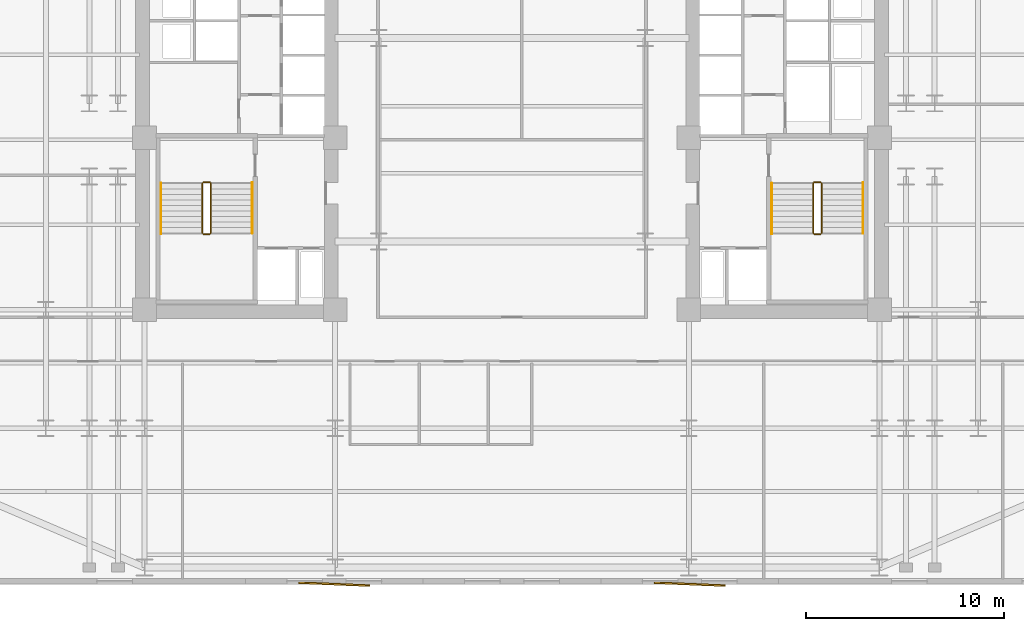
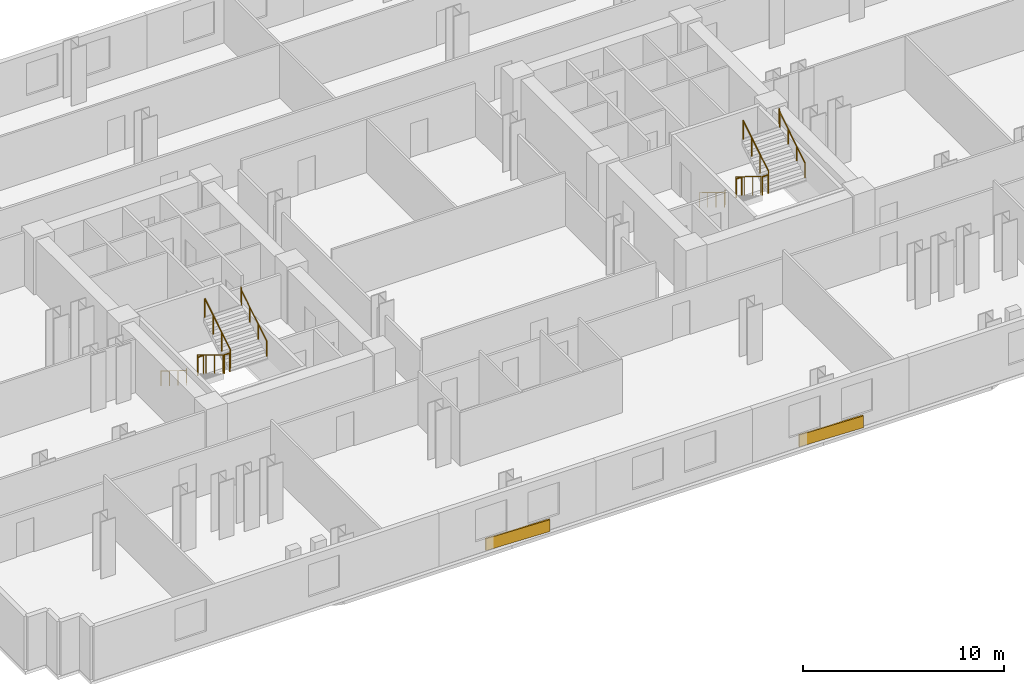
# One storey, part 9 of 10: 12 railings, 2 coverings.
"""IFC4 building model written with IfcOpenShell, lengths in metres."""

from ifc_helpers import new_model, si_unit, direction, frame, origin, origin_2d, place, context, subcontext, project, spatial, rectangle, circle, extrude, material, layer, layer_set, type_object, element, save


model = new_model("IFC4")

# Units and contexts
model_context = context("Model", 3, precision=1e-05, world=origin(), true_north=direction((0.0, 1.0)))
body_context = subcontext(model_context, "Body", "Model", "MODEL_VIEW")
ifc_project = project(units=[si_unit("LENGTHUNIT", "METRE"), si_unit("AREAUNIT", "SQUARE_METRE"), si_unit("VOLUMEUNIT", "CUBIC_METRE"), si_unit("PLANEANGLEUNIT", "RADIAN"), si_unit("MASSUNIT", "GRAM", prefix="KILO")], contexts=[model_context])

# Site, building, storey
site_placement = place(None, origin())
site = spatial("IfcSite", under=ifc_project, at=site_placement, CompositionType="ELEMENT")
building_placement = place(site_placement, origin())
building = spatial("IfcBuilding", under=site, at=building_placement, Name="Velakula Bourse", CompositionType="ELEMENT")
storey_placement = place(building_placement, frame((0.0, 0.0, 55.35009765625)))
storey = spatial("IfcBuildingStorey", under=building, at=storey_placement, Name="L14", CompositionType="ELEMENT", Elevation=55.35009765625)

# Coverings
ifc_material_1 = material(Name="Red kilned clay facing brick masonry", Category="masonry")
ifc_layer = layer(ifc_material_1, 0.090087890625, Name="Red kilned clay facing brick masonry", Category="masonry")
ifc_layer_set = layer_set([ifc_layer], Name="Red kilned clay facing brick masonry")
covering_type = type_object("IfcCoveringType", Name="COV-BRK-FOLD-90", PredefinedType="CLADDING", material=ifc_layer_set)
for number, where, z_axis, x_axis, name in (
    (1, (-9.0, -22.489990234375, 0.0), (0.0, 0.0, 1.0), (0.999158993058, -0.041003738744, 0.0), "L14 Folded Brick Facade Cladding Panel S-B2"),
    (2, (9.0, -22.489990234375, 0.0), (0.0, 0.0, 1.0), (0.999158993058, -0.041003738744, 0.0), "L14 Folded Brick Facade Cladding Panel S-B4"),
):
    element("IfcCovering", number, at=place(storey_placement, frame(where, z_axis=z_axis, x_axis=x_axis)), inside=storey, type_object=covering_type, Name=name, PredefinedType="CLADDING", context=body_context, shape_type="SweptSolid", body=[
        extrude(rectangle(XDim=3.60009765625, YDim=0.090087890625, at=origin_2d()), origin(), (0.0, 0.0, 1.0), 0.719970703125),
    ])

# Railings
ifc_material_2 = material(Name="Brushed grade 316 stainless steel", Category="steel")
railing_type_1 = type_object("IfcRailingType", Name="RLG-STAIR-GUARD-1150", PredefinedType="BALUSTRADE", material=ifc_material_2)
railing_1_placement = place(storey_placement, frame((-15.672119140625, -2.199951171875, 0.17236328125)))
element("IfcRailing", 3, at=railing_1_placement, inside=storey, type_object=railing_type_1, Name="L14 ST-W1 stair guard 1", PredefinedType="BALUSTRADE", context=body_context, shape_type="SweptSolid", body=[
    extrude(circle(Radius=0.02490234375, at=origin_2d()), frame((0.0, 0.0, 1.125), z_axis=(0.0, -0.851400495292, 0.524516154772), x_axis=(1.0, 0.0, 0.0)), (0.0, 0.0, 1.0), 2.9599609375),
    extrude(circle(Radius=0.02099609375, at=origin_2d()), origin(), (0.0, 0.0, 1.0), 1.099853515625),
    extrude(circle(Radius=0.02099609375, at=origin_2d()), frame((0.0, -0.840087890625, 0.517578125)), (0.0, 0.0, 1.0), 1.099853515625),
    extrude(circle(Radius=0.02099609375, at=origin_2d()), frame((0.0, -1.679931640625, 1.034912109375)), (0.0, 0.0, 1.0), 1.099853515625),
    extrude(circle(Radius=0.02099609375, at=origin_2d()), frame((0.0, -2.52001953125, 1.552490234375)), (0.0, 0.0, 1.0), 1.099853515625),
])
railing_2_placement = place(storey_placement, frame((-15.6220703125, -4.77001953125, 1.724853515625)))
element("IfcRailing", 4, at=railing_2_placement, inside=storey, type_object=railing_type_1, Name="L14 ST-W1 stair guard 2", PredefinedType="BALUSTRADE", context=body_context, shape_type="SweptSolid", body=[
    extrude(circle(Radius=0.02490234375, at=origin_2d()), frame((0.0, 0.0, 1.125), z_axis=(1.0, 0.0, 0.0), x_axis=(0.0, 1.0, 0.0)), (0.0, 0.0, 1.0), 0.323974609375),
    extrude(circle(Radius=0.02099609375, at=origin_2d()), origin(), (0.0, 0.0, 1.0), 1.099853515625),
    extrude(circle(Radius=0.02099609375, at=origin_2d()), frame((0.323974609375, 0.0, 0.0)), (0.0, 0.0, 1.0), 1.099853515625),
])
railing_3_placement = place(storey_placement, frame((-15.248046875, -4.719970703125, 1.8974609375)))
element("IfcRailing", 5, at=railing_3_placement, inside=storey, type_object=railing_type_1, Name="L14 ST-W1 stair guard 3", PredefinedType="BALUSTRADE", context=body_context, shape_type="SweptSolid", body=[
    extrude(circle(Radius=0.02490234375, at=origin_2d()), frame((0.0, 0.0, 1.125), z_axis=(0.0, 0.851400495292, 0.524516154772), x_axis=(-1.0, 0.0, 0.0)), (0.0, 0.0, 1.0), 2.9599609375),
    extrude(circle(Radius=0.02099609375, at=origin_2d()), origin(), (0.0, 0.0, 1.0), 1.099853515625),
    extrude(circle(Radius=0.02099609375, at=origin_2d()), frame((0.0, 0.840087890625, 0.517578125)), (0.0, 0.0, 1.0), 1.099853515625),
    extrude(circle(Radius=0.02099609375, at=origin_2d()), frame((0.0, 1.679931640625, 1.034912109375)), (0.0, 0.0, 1.0), 1.099853515625),
    extrude(circle(Radius=0.02099609375, at=origin_2d()), frame((0.0, 2.52001953125, 1.552490234375)), (0.0, 0.0, 1.0), 1.099853515625),
])
railing_4_placement = place(storey_placement, frame((-15.6220703125, -2.14990234375, 0.0)))
element("IfcRailing", 6, at=railing_4_placement, inside=storey, type_object=railing_type_1, Name="L14 ST-W1 stair guard 4", PredefinedType="BALUSTRADE", context=body_context, shape_type="SweptSolid", body=[
    extrude(circle(Radius=0.02490234375, at=origin_2d()), frame((0.0, 0.0, 1.125), z_axis=(1.0, 0.0, 0.0), x_axis=(0.0, 1.0, 0.0)), (0.0, 0.0, 1.0), 0.323974609375),
    extrude(circle(Radius=0.02099609375, at=origin_2d()), origin(), (0.0, 0.0, 1.0), 1.099853515625),
    extrude(circle(Radius=0.02099609375, at=origin_2d()), frame((0.323974609375, 0.0, 0.0)), (0.0, 0.0, 1.0), 1.099853515625),
])
railing_5_placement = place(storey_placement, frame((15.248046875, -2.199951171875, 0.17236328125)))
element("IfcRailing", 7, at=railing_5_placement, inside=storey, type_object=railing_type_1, Name="L14 ST-E1 stair guard 1", PredefinedType="BALUSTRADE", context=body_context, shape_type="SweptSolid", body=[
    extrude(circle(Radius=0.02490234375, at=origin_2d()), frame((0.0, 0.0, 1.125), z_axis=(0.0, -0.851400495292, 0.524516154772), x_axis=(1.0, 0.0, 0.0)), (0.0, 0.0, 1.0), 2.9599609375),
    extrude(circle(Radius=0.02099609375, at=origin_2d()), origin(), (0.0, 0.0, 1.0), 1.099853515625),
    extrude(circle(Radius=0.02099609375, at=origin_2d()), frame((0.0, -0.840087890625, 0.517578125)), (0.0, 0.0, 1.0), 1.099853515625),
    extrude(circle(Radius=0.02099609375, at=origin_2d()), frame((0.0, -1.679931640625, 1.034912109375)), (0.0, 0.0, 1.0), 1.099853515625),
    extrude(circle(Radius=0.02099609375, at=origin_2d()), frame((0.0, -2.52001953125, 1.552490234375)), (0.0, 0.0, 1.0), 1.099853515625),
])
railing_6_placement = place(storey_placement, frame((15.298095703125, -4.77001953125, 1.724853515625)))
element("IfcRailing", 8, at=railing_6_placement, inside=storey, type_object=railing_type_1, Name="L14 ST-E1 stair guard 2", PredefinedType="BALUSTRADE", context=body_context, shape_type="SweptSolid", body=[
    extrude(circle(Radius=0.02490234375, at=origin_2d()), frame((0.0, 0.0, 1.125), z_axis=(1.0, 0.0, 0.0), x_axis=(0.0, 1.0, 0.0)), (0.0, 0.0, 1.0), 0.323974609375),
    extrude(circle(Radius=0.02099609375, at=origin_2d()), origin(), (0.0, 0.0, 1.0), 1.099853515625),
    extrude(circle(Radius=0.02099609375, at=origin_2d()), frame((0.323974609375, 0.0, 0.0)), (0.0, 0.0, 1.0), 1.099853515625),
])
railing_7_placement = place(storey_placement, frame((15.672119140625, -4.719970703125, 1.8974609375)))
element("IfcRailing", 9, at=railing_7_placement, inside=storey, type_object=railing_type_1, Name="L14 ST-E1 stair guard 3", PredefinedType="BALUSTRADE", context=body_context, shape_type="SweptSolid", body=[
    extrude(circle(Radius=0.02490234375, at=origin_2d()), frame((0.0, 0.0, 1.125), z_axis=(0.0, 0.851400495292, 0.524516154772), x_axis=(-1.0, 0.0, 0.0)), (0.0, 0.0, 1.0), 2.9599609375),
    extrude(circle(Radius=0.02099609375, at=origin_2d()), origin(), (0.0, 0.0, 1.0), 1.099853515625),
    extrude(circle(Radius=0.02099609375, at=origin_2d()), frame((0.0, 0.840087890625, 0.517578125)), (0.0, 0.0, 1.0), 1.099853515625),
    extrude(circle(Radius=0.02099609375, at=origin_2d()), frame((0.0, 1.679931640625, 1.034912109375)), (0.0, 0.0, 1.0), 1.099853515625),
    extrude(circle(Radius=0.02099609375, at=origin_2d()), frame((0.0, 2.52001953125, 1.552490234375)), (0.0, 0.0, 1.0), 1.099853515625),
])
railing_8_placement = place(storey_placement, frame((15.298095703125, -2.14990234375, 0.0)))
element("IfcRailing", 10, at=railing_8_placement, inside=storey, type_object=railing_type_1, Name="L14 ST-E1 stair guard 4", PredefinedType="BALUSTRADE", context=body_context, shape_type="SweptSolid", body=[
    extrude(circle(Radius=0.02490234375, at=origin_2d()), frame((0.0, 0.0, 1.125), z_axis=(1.0, 0.0, 0.0), x_axis=(0.0, 1.0, 0.0)), (0.0, 0.0, 1.0), 0.323974609375),
    extrude(circle(Radius=0.02099609375, at=origin_2d()), origin(), (0.0, 0.0, 1.0), 1.099853515625),
    extrude(circle(Radius=0.02099609375, at=origin_2d()), frame((0.323974609375, 0.0, 0.0)), (0.0, 0.0, 1.0), 1.099853515625),
])
railing_type_2 = type_object("IfcRailingType", Name="RLG-STAIR-HAND-920", PredefinedType="HANDRAIL", material=ifc_material_2)
railing_9_placement = place(storey_placement, frame((-17.77001953125, -2.199951171875, 0.17236328125)))
element("IfcRailing", 11, at=railing_9_placement, inside=storey, type_object=railing_type_2, Name="L14 ST-W1 stair handrail 1", PredefinedType="HANDRAIL", context=body_context, shape_type="SweptSolid", body=[
    extrude(circle(Radius=0.02099609375, at=origin_2d()), frame((0.0, 0.0, 0.89892578125), z_axis=(0.0, -0.851400495292, 0.524516154772), x_axis=(1.0, 0.0, 0.0)), (0.0, 0.0, 1.0), 2.9599609375),
    extrude(circle(Radius=0.02099609375, at=origin_2d()), frame((0.0, -2.52001953125, 2.451416015625), z_axis=(0.0, -0.22596628056, 0.974135124123), x_axis=(1.0, 0.0, 0.0)), (0.0, 0.0, 1.0), 0.17724609375),
    extrude(circle(Radius=0.02099609375, at=origin_2d()), frame((0.0, -2.56005859375, 2.6240234375), z_axis=(0.0, -1.0, 0.0), x_axis=(1.0, 0.0, 0.0)), (0.0, 0.0, 1.0), 0.0048828125),
    extrude(circle(Radius=0.02099609375, at=origin_2d()), origin(), (0.0, 0.0, 1.0), 0.8779296875),
    extrude(circle(Radius=0.02099609375, at=origin_2d()), frame((0.0, -0.840087890625, 0.517578125)), (0.0, 0.0, 1.0), 0.8779296875),
    extrude(circle(Radius=0.02099609375, at=origin_2d()), frame((0.0, -1.679931640625, 1.034912109375)), (0.0, 0.0, 1.0), 0.8779296875),
    extrude(circle(Radius=0.02099609375, at=origin_2d()), frame((0.0, -2.52001953125, 1.552490234375)), (0.0, 0.0, 1.0), 0.8779296875),
    extrude(circle(Radius=0.02099609375, at=origin_2d()), frame((0.0, -2.56005859375, 1.72509765625)), (0.0, 0.0, 1.0), 0.8779296875),
    extrude(circle(Radius=0.02099609375, at=origin_2d()), frame((0.0, -2.56494140625, 1.72509765625)), (0.0, 0.0, 1.0), 0.8779296875),
])
railing_10_placement = place(storey_placement, frame((-13.14990234375, -4.719970703125, 1.8974609375)))
element("IfcRailing", 12, at=railing_10_placement, inside=storey, type_object=railing_type_2, Name="L14 ST-W1 stair handrail 2", PredefinedType="HANDRAIL", context=body_context, shape_type="SweptSolid", body=[
    extrude(circle(Radius=0.02099609375, at=origin_2d()), frame((0.0, 0.0, 0.89892578125), z_axis=(0.0, 0.851400495292, 0.524516154772), x_axis=(-1.0, 0.0, 0.0)), (0.0, 0.0, 1.0), 2.9599609375),
    extrude(circle(Radius=0.02099609375, at=origin_2d()), frame((0.0, 2.52001953125, 2.451416015625), z_axis=(0.0, 0.226269970362, 0.974064628509), x_axis=(-1.0, 0.0, 0.0)), (0.0, 0.0, 1.0), 0.177001953125),
    extrude(circle(Radius=0.02099609375, at=origin_2d()), frame((0.0, 2.56005859375, 2.623779296875), z_axis=(0.0, 1.0, 0.0), x_axis=(-1.0, 0.0, 0.0)), (0.0, 0.0, 1.0), 0.0048828125),
    extrude(circle(Radius=0.02099609375, at=origin_2d()), origin(), (0.0, 0.0, 1.0), 0.8779296875),
    extrude(circle(Radius=0.02099609375, at=origin_2d()), frame((0.0, 0.840087890625, 0.517578125)), (0.0, 0.0, 1.0), 0.8779296875),
    extrude(circle(Radius=0.02099609375, at=origin_2d()), frame((0.0, 1.679931640625, 1.034912109375)), (0.0, 0.0, 1.0), 0.8779296875),
    extrude(circle(Radius=0.02099609375, at=origin_2d()), frame((0.0, 2.52001953125, 1.552490234375)), (0.0, 0.0, 1.0), 0.8779296875),
    extrude(circle(Radius=0.02099609375, at=origin_2d()), frame((0.0, 2.56005859375, 1.724853515625)), (0.0, 0.0, 1.0), 0.8779296875),
    extrude(circle(Radius=0.02099609375, at=origin_2d()), frame((0.0, 2.56494140625, 1.724853515625)), (0.0, 0.0, 1.0), 0.8779296875),
])
railing_11_placement = place(storey_placement, frame((13.14990234375, -2.199951171875, 0.17236328125)))
element("IfcRailing", 13, at=railing_11_placement, inside=storey, type_object=railing_type_2, Name="L14 ST-E1 stair handrail 1", PredefinedType="HANDRAIL", context=body_context, shape_type="SweptSolid", body=[
    extrude(circle(Radius=0.02099609375, at=origin_2d()), frame((0.0, 0.0, 0.89892578125), z_axis=(0.0, -0.851400495292, 0.524516154772), x_axis=(1.0, 0.0, 0.0)), (0.0, 0.0, 1.0), 2.9599609375),
    extrude(circle(Radius=0.02099609375, at=origin_2d()), frame((0.0, -2.52001953125, 2.451416015625), z_axis=(0.0, -0.22596628056, 0.974135124123), x_axis=(1.0, 0.0, 0.0)), (0.0, 0.0, 1.0), 0.17724609375),
    extrude(circle(Radius=0.02099609375, at=origin_2d()), frame((0.0, -2.56005859375, 2.6240234375), z_axis=(0.0, -1.0, 0.0), x_axis=(1.0, 0.0, 0.0)), (0.0, 0.0, 1.0), 0.0048828125),
    extrude(circle(Radius=0.02099609375, at=origin_2d()), origin(), (0.0, 0.0, 1.0), 0.8779296875),
    extrude(circle(Radius=0.02099609375, at=origin_2d()), frame((0.0, -0.840087890625, 0.517578125)), (0.0, 0.0, 1.0), 0.8779296875),
    extrude(circle(Radius=0.02099609375, at=origin_2d()), frame((0.0, -1.679931640625, 1.034912109375)), (0.0, 0.0, 1.0), 0.8779296875),
    extrude(circle(Radius=0.02099609375, at=origin_2d()), frame((0.0, -2.52001953125, 1.552490234375)), (0.0, 0.0, 1.0), 0.8779296875),
    extrude(circle(Radius=0.02099609375, at=origin_2d()), frame((0.0, -2.56005859375, 1.72509765625)), (0.0, 0.0, 1.0), 0.8779296875),
    extrude(circle(Radius=0.02099609375, at=origin_2d()), frame((0.0, -2.56494140625, 1.72509765625)), (0.0, 0.0, 1.0), 0.8779296875),
])
railing_12_placement = place(storey_placement, frame((17.77001953125, -4.719970703125, 1.8974609375)))
element("IfcRailing", 14, at=railing_12_placement, inside=storey, type_object=railing_type_2, Name="L14 ST-E1 stair handrail 2", PredefinedType="HANDRAIL", context=body_context, shape_type="SweptSolid", body=[
    extrude(circle(Radius=0.02099609375, at=origin_2d()), frame((0.0, 0.0, 0.89892578125), z_axis=(0.0, 0.851400495292, 0.524516154772), x_axis=(-1.0, 0.0, 0.0)), (0.0, 0.0, 1.0), 2.9599609375),
    extrude(circle(Radius=0.02099609375, at=origin_2d()), frame((0.0, 2.52001953125, 2.451416015625), z_axis=(0.0, 0.226269970362, 0.974064628509), x_axis=(-1.0, 0.0, 0.0)), (0.0, 0.0, 1.0), 0.177001953125),
    extrude(circle(Radius=0.02099609375, at=origin_2d()), frame((0.0, 2.56005859375, 2.623779296875), z_axis=(0.0, 1.0, 0.0), x_axis=(-1.0, 0.0, 0.0)), (0.0, 0.0, 1.0), 0.0048828125),
    extrude(circle(Radius=0.02099609375, at=origin_2d()), origin(), (0.0, 0.0, 1.0), 0.8779296875),
    extrude(circle(Radius=0.02099609375, at=origin_2d()), frame((0.0, 0.840087890625, 0.517578125)), (0.0, 0.0, 1.0), 0.8779296875),
    extrude(circle(Radius=0.02099609375, at=origin_2d()), frame((0.0, 1.679931640625, 1.034912109375)), (0.0, 0.0, 1.0), 0.8779296875),
    extrude(circle(Radius=0.02099609375, at=origin_2d()), frame((0.0, 2.52001953125, 1.552490234375)), (0.0, 0.0, 1.0), 0.8779296875),
    extrude(circle(Radius=0.02099609375, at=origin_2d()), frame((0.0, 2.56005859375, 1.724853515625)), (0.0, 0.0, 1.0), 0.8779296875),
    extrude(circle(Radius=0.02099609375, at=origin_2d()), frame((0.0, 2.56494140625, 1.724853515625)), (0.0, 0.0, 1.0), 0.8779296875),
])

save(model, "model.ifc")
